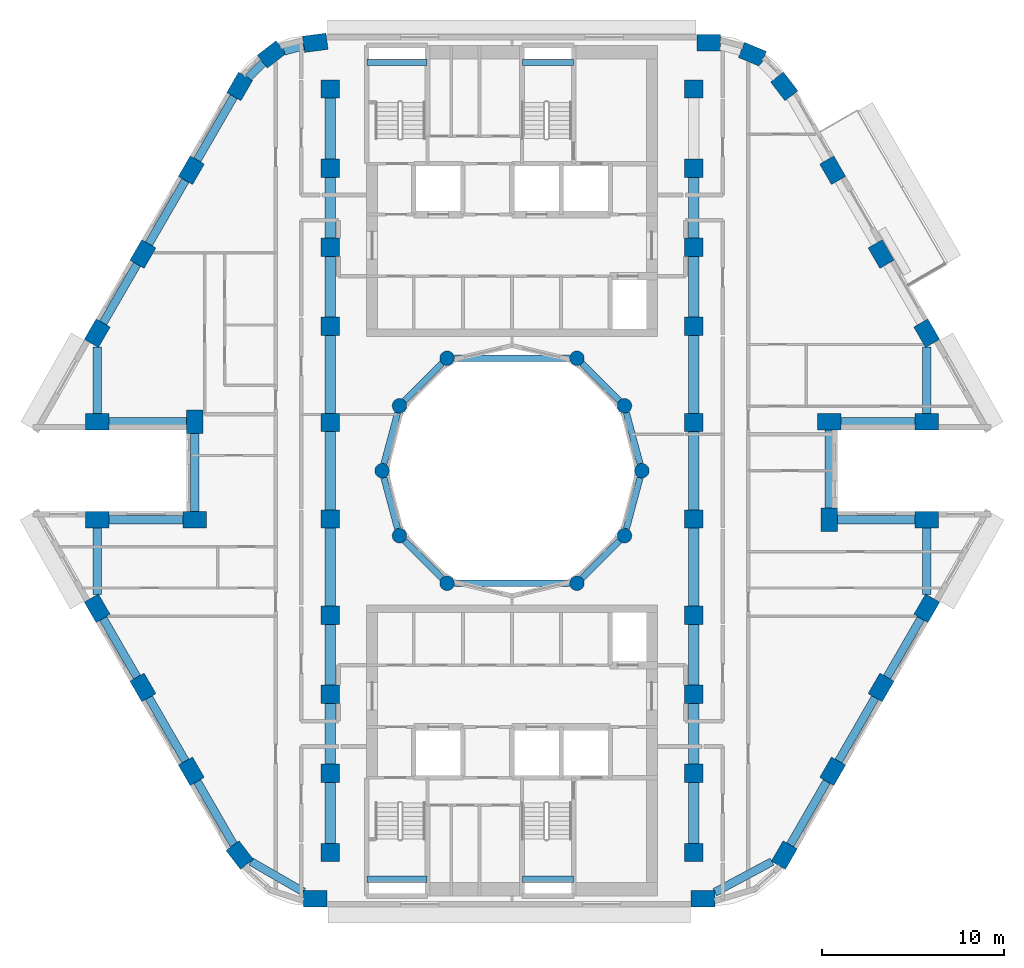
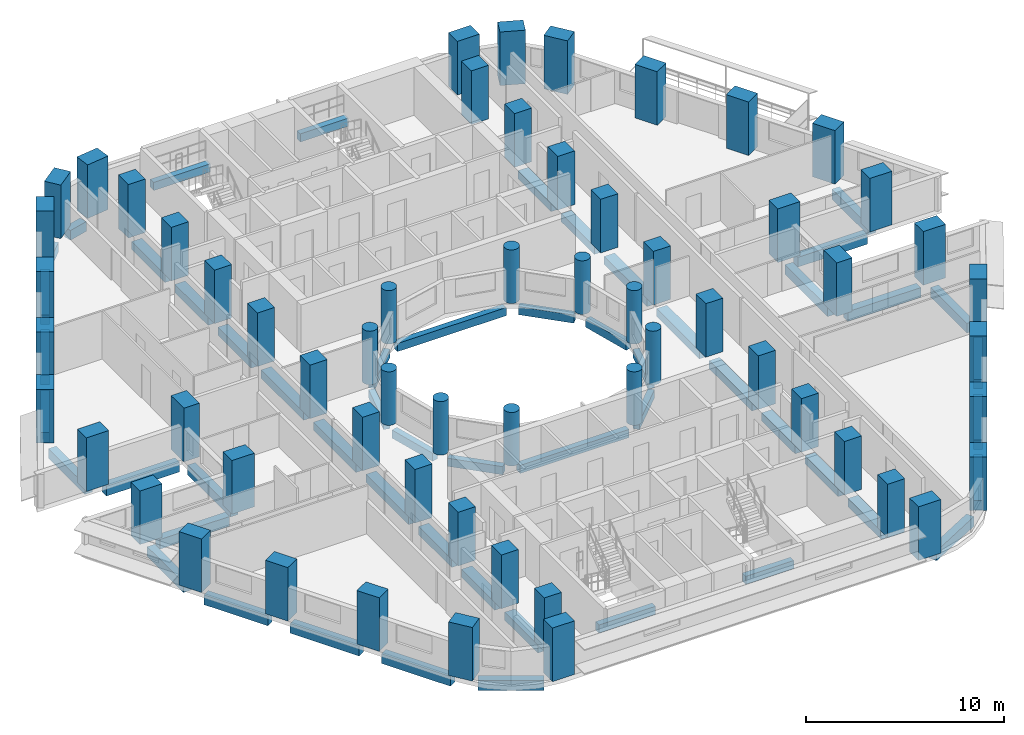
# One storey, part 1 of 14: 60 columns, 54 beams.
"""IFC4 building model written with IfcOpenShell, lengths in metres."""

import ifcopenshell
import ifcopenshell.guid

model = None  # the IFC model being written
_history = None  # IfcOwnerHistory: only IFC2X3 demands one
_inside = {}  # id of a spatial element -> (the spatial element, [elements in it])
_under = {}  # id of a project, library or spatial element -> (it, [spatial elements below it])
_declared = {}  # id of a project -> (the project, [libraries it declares])
_typed = {}  # id of a type object -> (the type object, [elements of that type])
_made_of = {}  # id of a material, layer set ... -> (it, [elements and type objects made of it])


def new_model(schema):
    """Start an empty IFC model of exactly this schema.

    Asked for "IFC4X3", IfcOpenShell would pick the latest addendum, in which some entities
    have other attributes; the version numbers below select the first issue.
    IFC2X3 requires an IfcOwnerHistory on every rooted entity: one is made here for all.
    """
    global model, _history
    if schema == "IFC4X3":
        model = ifcopenshell.file(schema_version=(4, 3, 0, 0))
    else:
        model = ifcopenshell.file(schema=schema)
    _inside.clear()
    _under.clear()
    _declared.clear()
    _typed.clear()
    _made_of.clear()
    _history = None
    if model.schema == "IFC2X3":
        org = make("IfcOrganization", Name="unknown")
        user = make(
            "IfcPersonAndOrganization",
            ThePerson=make("IfcPerson", FamilyName="unknown"),
            TheOrganization=org,
        )
        app = make(
            "IfcApplication",
            ApplicationDeveloper=org,
            Version="unknown",
            ApplicationFullName="unknown",
            ApplicationIdentifier="unknown",
        )
        _history = make(
            "IfcOwnerHistory",
            OwningUser=user,
            OwningApplication=app,
            ChangeAction="ADDED",
            CreationDate=0,
        )
    return model


def make(cls, **values):
    """One entity of the class cls with the attributes given. An attribute that is None is left unset."""
    return model.create_entity(
        cls, **{name: value for name, value in values.items() if value is not None}
    )


def rooted(cls, **values):
    """An entity with a GlobalId (a new one), such as an element, a storey or a relation."""
    return make(cls, GlobalId=ifcopenshell.guid.new(), OwnerHistory=_history, **values)


def si_unit(unit_type, name, prefix=None):
    """IfcSIUnit, for example si_unit("LENGTHUNIT", "METRE", prefix="MILLI")."""
    return make("IfcSIUnit", UnitType=unit_type, Prefix=prefix, Name=name)


def assignment(units):
    """IfcUnitAssignment: the units of a project."""
    return None if units is None else make("IfcUnitAssignment", Units=units)


def point(xyz):
    """IfcCartesianPoint."""
    return None if xyz is None else make("IfcCartesianPoint", Coordinates=xyz)


def direction(xyz):
    """IfcDirection."""
    return None if xyz is None else make("IfcDirection", DirectionRatios=xyz)


def frame(location, z_axis=None, x_axis=None):
    """IfcAxis2Placement3D, a coordinate frame: its origin and axes. An axis left out is left unset."""
    return make(
        "IfcAxis2Placement3D",
        Location=point(location),
        Axis=direction(z_axis),
        RefDirection=direction(x_axis),
    )


def frame_2d(location, x_axis=None):
    """IfcAxis2Placement2D, a coordinate frame in the plane: its origin and x axis."""
    return make(
        "IfcAxis2Placement2D", Location=point(location), RefDirection=direction(x_axis)
    )


def origin():
    """The frame at (0, 0, 0) with its axes left unset."""
    return frame((0.0, 0.0, 0.0))


def origin_2d():
    """The frame at (0, 0) in the plane with its x axis left unset."""
    return frame_2d((0.0, 0.0))


def place(relative_to, where):
    """IfcLocalPlacement: puts the frame where relative to a parent placement (None: the world)."""
    return make(
        "IfcLocalPlacement", PlacementRelTo=relative_to, RelativePlacement=where
    )


def context(
    kind, dimensions, precision=None, world=None, true_north=None, identifier=None
):
    """IfcGeometricRepresentationContext, for example the 3D "Model" context."""
    return make(
        "IfcGeometricRepresentationContext",
        ContextIdentifier=identifier,
        ContextType=kind,
        CoordinateSpaceDimension=dimensions,
        Precision=precision,
        WorldCoordinateSystem=world,
        TrueNorth=true_north,
    )


def subcontext(parent, identifier, kind, view, scale=None):
    """IfcGeometricRepresentationSubContext, for example "Body" below "Model"."""
    return make(
        "IfcGeometricRepresentationSubContext",
        ContextIdentifier=identifier,
        ContextType=kind,
        ParentContext=parent,
        TargetScale=scale,
        TargetView=view,
    )


def project(units=None, contexts=None):
    """IfcProject with its units and contexts."""
    return rooted(
        "IfcProject",
        Name="project",
        RepresentationContexts=contexts,
        UnitsInContext=assignment(units),
    )


def spatial(cls, under=None, at=None, **own):
    """A site, building, storey or space (cls), placed at a placement, below another one or the project."""
    s = rooted(cls, ObjectPlacement=at, **own)
    if under is not None:
        _under.setdefault(under.id(), (under, []))[1].append(s)
    return s


def profile(cls, at=None, kind="AREA", **sizes):
    """A parametric profile (cls). Its sizes go by their IFC names, for example OverallWidth=200.0."""
    return make(cls, ProfileType=kind, Position=at, **sizes)


def rectangle(**sizes):
    """IfcRectangleProfileDef."""
    return profile("IfcRectangleProfileDef", **sizes)


def circle(**sizes):
    """IfcCircleProfileDef."""
    return profile("IfcCircleProfileDef", **sizes)


def extrude(swept, where, along, depth):
    """IfcExtrudedAreaSolid: the profile swept, set in the frame where, extruded along a direction by depth."""
    return make(
        "IfcExtrudedAreaSolid",
        SweptArea=swept,
        Position=where,
        ExtrudedDirection=direction(along),
        Depth=depth,
    )


def shape(context_of_items, identifier, shape_type, items):
    """IfcShapeRepresentation: the items that make up one representation, for example the "Body"."""
    return make(
        "IfcShapeRepresentation",
        ContextOfItems=context_of_items,
        RepresentationIdentifier=identifier,
        RepresentationType=shape_type,
        Items=items,
    )


def material(Name=None, Category=None):
    """IfcMaterial."""
    return make("IfcMaterial", Name=Name, Category=Category)


def material_profile(
    of_material, cross_section, Name=None, Category=None, Priority=None
):
    """IfcMaterialProfile: a cross section and its material."""
    return make(
        "IfcMaterialProfile",
        Name=Name,
        Material=of_material,
        Profile=cross_section,
        Priority=Priority,
        Category=Category,
    )


def profile_set(profiles, Name=None, composite=None):
    """IfcMaterialProfileSet."""
    return make(
        "IfcMaterialProfileSet",
        Name=Name,
        MaterialProfiles=profiles,
        CompositeProfile=composite,
    )


def made_of(thing, what):
    """Note that an element or type object is made of a material, layer set ...; save() writes the relation."""
    if what is not None:
        _made_of.setdefault(what.id(), (what, []))[1].append(thing)
    return thing


def type_object(cls, material=None, **own):
    """A type object (cls), such as IfcWallType, which elements share."""
    return made_of(rooted(cls, **own), material)


def element(
    cls,
    number,
    at=None,
    inside=None,
    cuts=None,
    type_object=None,
    material=None,
    context=None,
    identifier="Body",
    shape_type=None,
    held_by="IfcProductDefinitionShape",
    body=None,
    shapes=None,
    **own,
):
    """One element of the class cls, such as IfcWall. Its Tag is "e" and its number.

    at: its placement. inside: the storey or other place that contains it. cuts: it is an
    opening in that element (IfcRelVoidsElement). A single representation is given by context,
    identifier, shape_type and body (its items); several are given by shapes. held_by: the class
    of the entity that holds the representations. save() writes the other relations.
    """
    e = rooted(cls, Tag="e%d" % number, ObjectPlacement=at, **own)
    if body is not None:
        shapes = [shape(context, identifier, shape_type, body)]
    if shapes is not None:
        e.Representation = make(held_by, Representations=shapes)
    if inside is not None:
        _inside.setdefault(inside.id(), (inside, []))[1].append(e)
    if cuts is not None:
        rooted(
            "IfcRelVoidsElement", RelatingBuildingElement=cuts, RelatedOpeningElement=e
        )
    if type_object is not None:
        _typed.setdefault(type_object.id(), (type_object, []))[1].append(e)
    return made_of(e, material)


def aggregate(whole, parts):
    """IfcRelAggregates: a whole, such as a stair, and the parts it consists of."""
    return rooted("IfcRelAggregates", RelatingObject=whole, RelatedObjects=parts)


def save(model, path):
    """Write the relations noted so far, then the file.

    IfcRelAggregates (storeys below a building ...), IfcRelContainedInSpatialStructure (elements
    in a storey), IfcRelDefinesByType, IfcRelAssociatesMaterial and IfcRelDeclares: one each for
    every whole, place, type object, material and project.
    """
    for whole, parts in _under.values():
        aggregate(whole, parts)
    for where, things in _inside.values():
        rooted(
            "IfcRelContainedInSpatialStructure",
            RelatedElements=things,
            RelatingStructure=where,
        )
    for kind, things in _typed.values():
        rooted("IfcRelDefinesByType", RelatedObjects=things, RelatingType=kind)
    for what, things in _made_of.values():
        rooted("IfcRelAssociatesMaterial", RelatedObjects=things, RelatingMaterial=what)
    for by, libraries in _declared.values():
        rooted("IfcRelDeclares", RelatingContext=by, RelatedDefinitions=libraries)
    model.write(path)


model = new_model("IFC4")

# Units and contexts
model_context = context("Model", 3, precision=1e-05, world=origin(), true_north=direction((0.0, 1.0)))
body_context = subcontext(model_context, "Body", "Model", "MODEL_VIEW")
ifc_project = project(units=[si_unit("LENGTHUNIT", "METRE"), si_unit("AREAUNIT", "SQUARE_METRE"), si_unit("VOLUMEUNIT", "CUBIC_METRE"), si_unit("PLANEANGLEUNIT", "RADIAN"), si_unit("MASSUNIT", "GRAM", prefix="KILO")], contexts=[model_context])

# Site, building, storey
site_placement = place(None, origin())
site = spatial("IfcSite", under=ifc_project, at=site_placement, CompositionType="ELEMENT")
building_placement = place(site_placement, origin())
building = spatial("IfcBuilding", under=site, at=building_placement, Name="Nakaniwa Court", CompositionType="ELEMENT")
storey_placement = place(building_placement, frame((0.0, 0.0, 166.800048828125)))
storey = spatial("IfcBuildingStorey", under=building, at=storey_placement, Name="L44", CompositionType="ELEMENT", Elevation=166.800048828125)

# Columns
ifc_material = material(Name="Concrete C80/100", Category="concrete")
ifc_material_profile_1 = material_profile(ifc_material, rectangle(XDim=1.0, YDim=1.0, at=origin_2d()), Name="Concrete C80/100 RC 1000x1000 spine column")
ifc_profile_set_1 = profile_set([ifc_material_profile_1], Name="Concrete C80/100")
column_type_1 = type_object("IfcColumnType", Name="Concrete C80/100 RC 1000x1000 spine column", PredefinedType="COLUMN", material=ifc_profile_set_1)
for number, where, z_axis, x_axis, name in (
    (1, (90.0, 59.0, 0.0), (0.0, 0.0, 1.0), (0.0, 1.0, 0.0), "COLUMN CS-01"),
    (2, (90.0, 63.35009765625, 0.0), (0.0, 0.0, 1.0), (0.0, 1.0, 0.0), "COLUMN CS-02"),
    (3, (90.0, 67.699951171875, 0.0), (0.0, 0.0, 1.0), (0.0, 1.0, 0.0), "COLUMN CS-03"),
    (4, (90.0, 72.050048828125, 0.0), (0.0, 0.0, 1.0), (0.0, 1.0, 0.0), "COLUMN CS-04"),
    (5, (90.0, 77.35009765625, 0.0), (0.0, 0.0, 1.0), (0.0, 1.0, 0.0), "COLUMN CS-05"),
    (6, (90.0, 82.64990234375, 0.0), (0.0, 0.0, 1.0), (0.0, 1.0, 0.0), "COLUMN CS-06"),
    (7, (90.0, 87.949951171875, 0.0), (0.0, 0.0, 1.0), (0.0, 1.0, 0.0), "COLUMN CS-07"),
    (8, (90.0, 92.300048828125, 0.0), (0.0, 0.0, 1.0), (0.0, 1.0, 0.0), "COLUMN CS-08"),
    (9, (90.0, 96.64990234375, 0.0), (0.0, 0.0, 1.0), (0.0, 1.0, 0.0), "COLUMN CS-09"),
    (10, (90.0, 101.0, 0.0), (0.0, 0.0, 1.0), (0.0, 1.0, 0.0), "COLUMN CS-10"),
    (11, (70.0, 101.0, 0.0), (0.0, 0.0, 1.0), (0.0, -1.0, 0.0), "COLUMN CS-11"),
    (12, (70.0, 96.64990234375, 0.0), (0.0, 0.0, 1.0), (0.0, -1.0, 0.0), "COLUMN CS-12"),
    (13, (70.0, 92.300048828125, 0.0), (0.0, 0.0, 1.0), (0.0, -1.0, 0.0), "COLUMN CS-13"),
    (14, (70.0, 87.949951171875, 0.0), (0.0, 0.0, 1.0), (0.0, -1.0, 0.0), "COLUMN CS-14"),
    (15, (70.0, 82.64990234375, 0.0), (0.0, 0.0, 1.0), (0.0, -1.0, 0.0), "COLUMN CS-15"),
    (16, (70.0, 77.35009765625, 0.0), (0.0, 0.0, 1.0), (0.0, -1.0, 0.0), "COLUMN CS-16"),
    (17, (70.0, 72.050048828125, 0.0), (0.0, 0.0, 1.0), (0.0, -1.0, 0.0), "COLUMN CS-17"),
    (18, (70.0, 67.699951171875, 0.0), (0.0, 0.0, 1.0), (0.0, -1.0, 0.0), "COLUMN CS-18"),
    (19, (70.0, 63.35009765625, 0.0), (0.0, 0.0, 1.0), (0.0, -1.0, 0.0), "COLUMN CS-19"),
    (20, (70.0, 59.0, 0.0), (0.0, 0.0, 1.0), (0.0, -1.0, 0.0), "COLUMN CS-20"),
):
    element("IfcColumn", number, at=place(storey_placement, frame(where, z_axis=z_axis, x_axis=x_axis)), inside=storey, type_object=column_type_1, Name=name, PredefinedType="COLUMN", context=body_context, shape_type="SweptSolid", body=[
        extrude(rectangle(XDim=1.0, YDim=1.0, at=origin_2d()), origin(), (0.0, 0.0, 1.0), 3.300048828125),
    ])
ifc_material_profile_2 = material_profile(ifc_material, rectangle(XDim=1.300048828125, YDim=0.89990234375, at=origin_2d()), Name="Concrete C80/100 RC 1300x900 perimeter column")
ifc_profile_set_2 = profile_set([ifc_material_profile_2], Name="Concrete C80/100")
column_type_2 = type_object("IfcColumnType", Name="Concrete C80/100 RC 1300x900 perimeter column", PredefinedType="COLUMN", material=ifc_profile_set_2)
for number, where, z_axis, x_axis, name in (
    (21, (69.17529296875, 103.550048828125, 0.0), (0.0, 0.0, 1.0), (-0.991442583111, -0.130543496177, 0.0), "COLUMN CO-01"),
    (22, (66.772705078125, 102.91015625, 0.0), (0.0, 0.0, 1.0), (-0.793363965062, -0.608747582288, 0.0), "COLUMN CO-02"),
    (23, (65.017578125, 101.1494140625, 0.0), (0.0, 0.0, 1.0), (-0.5, -0.866025403784, 0.0), "COLUMN CO-03"),
    (24, (62.3544921875, 96.537109375, 0.0), (0.0, 0.0, 1.0), (-0.5, -0.866025403784, 0.0), "COLUMN CO-04"),
    (25, (59.691650390625, 91.9248046875, 0.0), (0.0, 0.0, 1.0), (-0.5, -0.866025403784, 0.0), "COLUMN CO-05"),
    (26, (57.177001953125, 87.569580078125, 0.0), (0.0, 0.0, 1.0), (-0.5, -0.866025403784, 0.0), "COLUMN CO-06"),
    (27, (57.177001953125, 82.699951171875, 0.0), (0.0, 0.0, 1.0), (1.0, 0.0, 0.0), "COLUMN CO-08"),
    (28, (62.54150390625, 82.699951171875, 0.0), (0.0, 0.0, 1.0), (0.0, -1.0, 0.0), "COLUMN CO-09"),
    (29, (62.54150390625, 77.300048828125, 0.0), (0.0, 0.0, 1.0), (-1.0, 0.0, 0.0), "COLUMN CO-10"),
    (30, (57.177001953125, 77.300048828125, 0.0), (0.0, 0.0, 1.0), (-1.0, 0.0, 0.0), "COLUMN CO-11"),
    (31, (57.177001953125, 72.430419921875, 0.0), (0.0, 0.0, 1.0), (0.5, -0.866025403784, 0.0), "COLUMN CO-13"),
    (32, (59.691650390625, 68.0751953125, 0.0), (0.0, 0.0, 1.0), (0.5, -0.866025403784, 0.0), "COLUMN CO-14"),
    (33, (62.3544921875, 63.462890625, 0.0), (0.0, 0.0, 1.0), (0.5, -0.866025403784, 0.0), "COLUMN CO-15"),
    (34, (65.017578125, 58.8505859375, 0.0), (0.0, 0.0, 1.0), (0.608761429009, -0.793353340291, 0.0), "COLUMN CO-16"),
    (35, (69.17529296875, 56.449951171875, 0.0), (0.0, 0.0, 1.0), (1.0, 0.0, 0.0), "COLUMN CO-17"),
    (36, (90.507080078125, 56.449951171875, 0.0), (0.0, 0.0, 1.0), (1.0, 0.0, 0.0), "COLUMN CO-21"),
    (37, (94.982421875, 58.8505859375, 0.0), (0.0, 0.0, 1.0), (0.5, 0.866025403784, 0.0), "COLUMN CO-22"),
    (38, (97.6455078125, 63.462890625, 0.0), (0.0, 0.0, 1.0), (0.5, 0.866025403784, 0.0), "COLUMN CO-23"),
    (39, (100.308349609375, 68.0751953125, 0.0), (0.0, 0.0, 1.0), (0.5, 0.866025403784, 0.0), "COLUMN CO-24"),
    (40, (102.822998046875, 72.430419921875, 0.0), (0.0, 0.0, 1.0), (0.5, 0.866025403784, 0.0), "COLUMN CO-25"),
    (41, (102.822998046875, 77.300048828125, 0.0), (0.0, 0.0, 1.0), (-1.0, 0.0, 0.0), "COLUMN CO-27"),
    (42, (97.45849609375, 77.300048828125, 0.0), (0.0, 0.0, 1.0), (0.0, 1.0, 0.0), "COLUMN CO-28"),
    (43, (97.45849609375, 82.699951171875, 0.0), (0.0, 0.0, 1.0), (1.0, 0.0, 0.0), "COLUMN CO-29"),
    (44, (102.822998046875, 82.699951171875, 0.0), (0.0, 0.0, 1.0), (1.0, 0.0, 0.0), "COLUMN CO-30"),
    (45, (102.822998046875, 87.569580078125, 0.0), (0.0, 0.0, 1.0), (-0.5, 0.866025403784, 0.0), "COLUMN CO-32"),
    (46, (100.308349609375, 91.9248046875, 0.0), (0.0, 0.0, 1.0), (-0.5, 0.866025403784, 0.0), "COLUMN CO-33"),
    (47, (97.6455078125, 96.537109375, 0.0), (0.0, 0.0, 1.0), (-0.5, 0.866025403784, 0.0), "COLUMN CO-34"),
    (48, (94.982421875, 101.1494140625, 0.0), (0.0, 0.0, 1.0), (-0.608761429009, 0.793353340291, 0.0), "COLUMN CO-35"),
    (49, (93.227294921875, 102.91015625, 0.0), (0.0, 0.0, 1.0), (-0.923879532511, 0.382683432365, 0.0), "COLUMN CO-36"),
    (50, (90.82470703125, 103.550048828125, 0.0), (0.0, 0.0, 1.0), (-1.0, 0.0, 0.0), "COLUMN CO-37"),
):
    element("IfcColumn", number, at=place(storey_placement, frame(where, z_axis=z_axis, x_axis=x_axis)), inside=storey, type_object=column_type_2, Name=name, PredefinedType="COLUMN", context=body_context, shape_type="SweptSolid", body=[
        extrude(rectangle(XDim=1.300048828125, YDim=0.89990234375, at=origin_2d()), origin(), (0.0, 0.0, 1.0), 3.300048828125),
    ])
ifc_material_profile_3 = material_profile(ifc_material, circle(Radius=0.39990234375, at=origin_2d()), Name="Concrete C80/100 RC D800 inner ring column")
ifc_profile_set_3 = profile_set([ifc_material_profile_3], Name="Concrete C80/100")
column_type_3 = type_object("IfcColumnType", Name="Concrete C80/100 RC D800 inner ring column", PredefinedType="COLUMN", material=ifc_profile_set_3)
for number, where, z_axis, x_axis, name in (
    (51, (87.14990234375, 80.0, 0.0), (0.0, 0.0, 1.0), (0.0, 1.0, 0.0), "COLUMN CI-01"),
    (52, (86.192138671875, 83.574951171875, 0.0), (0.0, 0.0, 1.0), (-0.5, 0.866025403784, 0.0), "COLUMN CI-02"),
    (53, (83.574951171875, 86.192138671875, 0.0), (0.0, 0.0, 1.0), (-0.866025403784, 0.5, 0.0), "COLUMN CI-03"),
    (54, (76.425048828125, 86.192138671875, 0.0), (0.0, 0.0, 1.0), (-0.866025403784, -0.5, 0.0), "COLUMN CI-05"),
    (55, (73.807861328125, 83.574951171875, 0.0), (0.0, 0.0, 1.0), (-0.5, -0.866025403784, 0.0), "COLUMN CI-06"),
    (56, (72.85009765625, 80.0, 0.0), (0.0, 0.0, 1.0), (0.0, -1.0, 0.0), "COLUMN CI-07"),
    (57, (73.807861328125, 76.425048828125, 0.0), (0.0, 0.0, 1.0), (0.5, -0.866025403784, 0.0), "COLUMN CI-08"),
    (58, (76.425048828125, 73.807861328125, 0.0), (0.0, 0.0, 1.0), (0.866025403784, -0.5, 0.0), "COLUMN CI-09"),
    (59, (83.574951171875, 73.807861328125, 0.0), (0.0, 0.0, 1.0), (0.866025403784, 0.5, 0.0), "COLUMN CI-11"),
    (60, (86.192138671875, 76.425048828125, 0.0), (0.0, 0.0, 1.0), (0.5, 0.866025403784, 0.0), "COLUMN CI-12"),
):
    element("IfcColumn", number, at=place(storey_placement, frame(where, z_axis=z_axis, x_axis=x_axis)), inside=storey, type_object=column_type_3, Name=name, PredefinedType="COLUMN", context=body_context, shape_type="SweptSolid", body=[
        extrude(circle(Radius=0.39990234375, at=origin_2d()), origin(), (0.0, 0.0, 1.0), 3.300048828125),
    ])

# Beams
ifc_material_profile_4 = material_profile(ifc_material, rectangle(XDim=0.35009765625, YDim=0.5, at=origin_2d()), Name="Concrete C80/100 RC 350x500 landing ledge beam")
ifc_profile_set_4 = profile_set([ifc_material_profile_4], Name="Concrete C80/100")
beam_type_1 = type_object("IfcBeamType", Name="Concrete C80/100 RC 350x500 landing ledge beam", PredefinedType="BEAM", material=ifc_profile_set_4)
beam_1_placement = place(storey_placement, frame((72.02490234375, 102.47509765625, 1.199951171875), z_axis=(1.0, 0.0, 0.0), x_axis=(0.0, 1.0, 0.0)))
element("IfcBeam", 61, at=beam_1_placement, inside=storey, type_object=beam_type_1, Name="LANDING LEDGE BEAM", PredefinedType="BEAM", context=body_context, shape_type="SweptSolid", body=[
    extrude(rectangle(XDim=0.35009765625, YDim=0.5, at=origin_2d()), origin(), (0.0, 0.0, 1.0), 3.300048828125),
])
beam_2_placement = place(storey_placement, frame((80.574951171875, 102.47509765625, 1.199951171875), z_axis=(1.0, 0.0, 0.0), x_axis=(0.0, 1.0, 0.0)))
element("IfcBeam", 62, at=beam_2_placement, inside=storey, type_object=beam_type_1, Name="LANDING LEDGE BEAM", PredefinedType="BEAM", context=body_context, shape_type="SweptSolid", body=[
    extrude(rectangle(XDim=0.35009765625, YDim=0.5, at=origin_2d()), origin(), (0.0, 0.0, 1.0), 2.800048828125),
])
beam_3_placement = place(storey_placement, frame((72.02490234375, 57.52490234375, 1.199951171875), z_axis=(1.0, 0.0, 0.0), x_axis=(0.0, 1.0, 0.0)))
element("IfcBeam", 63, at=beam_3_placement, inside=storey, type_object=beam_type_1, Name="LANDING LEDGE BEAM", PredefinedType="BEAM", context=body_context, shape_type="SweptSolid", body=[
    extrude(rectangle(XDim=0.35009765625, YDim=0.5, at=origin_2d()), origin(), (0.0, 0.0, 1.0), 3.300048828125),
])
beam_4_placement = place(storey_placement, frame((80.574951171875, 57.52490234375, 1.199951171875), z_axis=(1.0, 0.0, 0.0), x_axis=(0.0, 1.0, 0.0)))
element("IfcBeam", 64, at=beam_4_placement, inside=storey, type_object=beam_type_1, Name="LANDING LEDGE BEAM", PredefinedType="BEAM", context=body_context, shape_type="SweptSolid", body=[
    extrude(rectangle(XDim=0.35009765625, YDim=0.5, at=origin_2d()), origin(), (0.0, 0.0, 1.0), 2.800048828125),
])
ifc_material_profile_5 = material_profile(ifc_material, rectangle(XDim=0.35009765625, YDim=0.5, at=origin_2d()), Name="Concrete C80/100 RC 350x500 ring beam")
ifc_profile_set_5 = profile_set([ifc_material_profile_5], Name="Concrete C80/100")
beam_type_2 = type_object("IfcBeamType", Name="Concrete C80/100 RC 350x500 ring beam", PredefinedType="BEAM", material=ifc_profile_set_5)
beam_5_placement = place(storey_placement, frame((87.04638671875, 80.386474609375, -0.525146484375), z_axis=(-0.258778150207, 0.965936783115, 0.0), x_axis=(-0.965936783115, -0.258778150207, 0.0)))
element("IfcBeam", 65, at=beam_5_placement, inside=storey, type_object=beam_type_2, Name="RING BEAM", PredefinedType="BEAM", context=body_context, shape_type="SweptSolid", body=[
    extrude(rectangle(XDim=0.35009765625, YDim=0.5, at=origin_2d()), origin(), (0.0, 0.0, 1.0), 2.901123046875),
])
beam_6_placement = place(storey_placement, frame((85.9091796875, 83.85791015625, -0.525146484375), z_axis=(-0.707106781187, 0.707106781187, 0.0), x_axis=(-0.707106781187, -0.707106781187, 0.0)))
element("IfcBeam", 66, at=beam_6_placement, inside=storey, type_object=beam_type_2, Name="RING BEAM", PredefinedType="BEAM", context=body_context, shape_type="SweptSolid", body=[
    extrude(rectangle(XDim=0.35009765625, YDim=0.5, at=origin_2d()), origin(), (0.0, 0.0, 1.0), 2.90087890625),
])
beam_7_placement = place(storey_placement, frame((83.175048828125, 86.192138671875, -0.525146484375), z_axis=(-1.0, 0.0, 0.0), x_axis=(0.0, -1.0, 0.0)))
element("IfcBeam", 67, at=beam_7_placement, inside=storey, type_object=beam_type_2, Name="RING BEAM", PredefinedType="BEAM", context=body_context, shape_type="SweptSolid", body=[
    extrude(rectangle(XDim=0.35009765625, YDim=0.5, at=origin_2d()), origin(), (0.0, 0.0, 1.0), 6.35009765625),
])
beam_8_placement = place(storey_placement, frame((76.14208984375, 85.9091796875, -0.525146484375), z_axis=(-0.707106781187, -0.707106781187, 0.0), x_axis=(0.707106781187, -0.707106781187, 0.0)))
element("IfcBeam", 68, at=beam_8_placement, inside=storey, type_object=beam_type_2, Name="RING BEAM", PredefinedType="BEAM", context=body_context, shape_type="SweptSolid", body=[
    extrude(rectangle(XDim=0.35009765625, YDim=0.5, at=origin_2d()), origin(), (0.0, 0.0, 1.0), 2.90087890625),
])
for number, where, z_axis, x_axis, name in (
    (69, (73.704345703125, 83.188720703125, -0.525146484375), (-0.258778150207, -0.965936783115, 0.0), (0.965936783115, -0.258778150207, 0.0), "RING BEAM"),
    (70, (72.95361328125, 79.613525390625, -0.525146484375), (0.258778150207, -0.965936783115, 0.0), (0.965936783115, 0.258778150207, 0.0), "RING BEAM"),
):
    element("IfcBeam", number, at=place(storey_placement, frame(where, z_axis=z_axis, x_axis=x_axis)), inside=storey, type_object=beam_type_2, Name=name, PredefinedType="BEAM", context=body_context, shape_type="SweptSolid", body=[
        extrude(rectangle(XDim=0.35009765625, YDim=0.5, at=origin_2d()), origin(), (0.0, 0.0, 1.0), 2.901123046875),
    ])
beam_9_placement = place(storey_placement, frame((74.0908203125, 76.14208984375, -0.525146484375), z_axis=(0.707106781187, -0.707106781187, 0.0), x_axis=(0.707106781187, 0.707106781187, 0.0)))
element("IfcBeam", 71, at=beam_9_placement, inside=storey, type_object=beam_type_2, Name="RING BEAM", PredefinedType="BEAM", context=body_context, shape_type="SweptSolid", body=[
    extrude(rectangle(XDim=0.35009765625, YDim=0.5, at=origin_2d()), origin(), (0.0, 0.0, 1.0), 2.90087890625),
])
beam_10_placement = place(storey_placement, frame((76.824951171875, 73.807861328125, -0.525146484375), z_axis=(1.0, 0.0, 0.0), x_axis=(0.0, 1.0, 0.0)))
element("IfcBeam", 72, at=beam_10_placement, inside=storey, type_object=beam_type_2, Name="RING BEAM", PredefinedType="BEAM", context=body_context, shape_type="SweptSolid", body=[
    extrude(rectangle(XDim=0.35009765625, YDim=0.5, at=origin_2d()), origin(), (0.0, 0.0, 1.0), 6.35009765625),
])
beam_11_placement = place(storey_placement, frame((83.85791015625, 74.0908203125, -0.525146484375), z_axis=(0.707106781187, 0.707106781187, 0.0), x_axis=(-0.707106781187, 0.707106781187, 0.0)))
element("IfcBeam", 73, at=beam_11_placement, inside=storey, type_object=beam_type_2, Name="RING BEAM", PredefinedType="BEAM", context=body_context, shape_type="SweptSolid", body=[
    extrude(rectangle(XDim=0.35009765625, YDim=0.5, at=origin_2d()), origin(), (0.0, 0.0, 1.0), 2.90087890625),
])
beam_12_placement = place(storey_placement, frame((86.295654296875, 76.811279296875, -0.525146484375), z_axis=(0.258778150207, 0.965936783115, 0.0), x_axis=(-0.965936783115, 0.258778150207, 0.0)))
element("IfcBeam", 74, at=beam_12_placement, inside=storey, type_object=beam_type_2, Name="RING BEAM", PredefinedType="BEAM", context=body_context, shape_type="SweptSolid", body=[
    extrude(rectangle(XDim=0.35009765625, YDim=0.5, at=origin_2d()), origin(), (0.0, 0.0, 1.0), 2.901123046875),
])
ifc_material_profile_6 = material_profile(ifc_material, rectangle(XDim=0.449951171875, YDim=0.60009765625, at=origin_2d()), Name="Concrete C80/100 RC 450x600 spandrel beam")
ifc_profile_set_6 = profile_set([ifc_material_profile_6], Name="Concrete C80/100")
beam_type_3 = type_object("IfcBeamType", Name="Concrete C80/100 RC 450x600 spandrel beam", PredefinedType="BEAM", material=ifc_profile_set_6)
beam_13_placement = place(storey_placement, frame((68.5419921875, 103.38134765625, -0.574951171875), z_axis=(-0.966321172043, -0.257339061284, 0.0), x_axis=(0.257339061284, -0.966321172043, 0.0)))
element("IfcBeam", 75, at=beam_13_placement, inside=storey, type_object=beam_type_3, Name="SPANDREL BEAM", PredefinedType="BEAM", context=body_context, shape_type="SweptSolid", body=[
    extrude(rectangle(XDim=0.449951171875, YDim=0.60009765625, at=origin_2d()), origin(), (0.0, 0.0, 1.0), 1.126953125),
])
beam_14_placement = place(storey_placement, frame((66.309814453125, 102.44580078125, -0.574951171875), z_axis=(-0.706051557188, -0.708160432807, 0.0), x_axis=(0.708160432807, -0.706051557188, 0.0)))
element("IfcBeam", 76, at=beam_14_placement, inside=storey, type_object=beam_type_3, Name="SPANDREL BEAM", PredefinedType="BEAM", context=body_context, shape_type="SweptSolid", body=[
    extrude(rectangle(XDim=0.449951171875, YDim=0.60009765625, at=origin_2d()), origin(), (0.0, 0.0, 1.0), 1.15771484375),
])
for number, where, z_axis, x_axis, name in (
    (77, (64.6923828125, 100.586669921875, -0.574951171875), (-0.499993669216, -0.866029058833, 0.0), (0.866029058833, -0.499993669216, 0.0), "SPANDREL BEAM"),
    (78, (62.029541015625, 95.97412109375, -0.574951171875), (-0.499993669216, -0.866029058833, 0.0), (0.866029058833, -0.499993669216, 0.0), "SPANDREL BEAM"),
):
    element("IfcBeam", number, at=place(storey_placement, frame(where, z_axis=z_axis, x_axis=x_axis)), inside=storey, type_object=beam_type_3, Name=name, PredefinedType="BEAM", context=body_context, shape_type="SweptSolid", body=[
        extrude(rectangle(XDim=0.449951171875, YDim=0.60009765625, at=origin_2d()), origin(), (0.0, 0.0, 1.0), 4.02587890625),
    ])
beam_15_placement = place(storey_placement, frame((59.36669921875, 91.36181640625, -0.574951171875), z_axis=(-0.50001905207, -0.866014403787, 0.0), x_axis=(0.866014403787, -0.50001905207, 0.0)))
element("IfcBeam", 79, at=beam_15_placement, inside=storey, type_object=beam_type_3, Name="SPANDREL BEAM", PredefinedType="BEAM", context=body_context, shape_type="SweptSolid", body=[
    extrude(rectangle(XDim=0.449951171875, YDim=0.60009765625, at=origin_2d()), origin(), (0.0, 0.0, 1.0), 3.728759765625),
])
beam_16_placement = place(storey_placement, frame((57.177001953125, 86.819091796875, -0.574951171875), z_axis=(0.0, -1.0, 0.0), x_axis=(1.0, 0.0, 0.0)))
element("IfcBeam", 80, at=beam_16_placement, inside=storey, type_object=beam_type_3, Name="SPANDREL BEAM", PredefinedType="BEAM", context=body_context, shape_type="SweptSolid", body=[
    extrude(rectangle(XDim=0.449951171875, YDim=0.60009765625, at=origin_2d()), origin(), (0.0, 0.0, 1.0), 3.669189453125),
])
beam_17_placement = place(storey_placement, frame((57.8271484375, 82.699951171875, -0.574951171875), z_axis=(1.0, 0.0, 0.0), x_axis=(0.0, 1.0, 0.0)))
element("IfcBeam", 81, at=beam_17_placement, inside=storey, type_object=beam_type_3, Name="SPANDREL BEAM", PredefinedType="BEAM", context=body_context, shape_type="SweptSolid", body=[
    extrude(rectangle(XDim=0.449951171875, YDim=0.60009765625, at=origin_2d()), origin(), (0.0, 0.0, 1.0), 4.264404296875),
])
beam_18_placement = place(storey_placement, frame((62.54150390625, 82.050048828125, -0.574951171875), z_axis=(0.0, -1.0, 0.0), x_axis=(1.0, 0.0, 0.0)))
element("IfcBeam", 82, at=beam_18_placement, inside=storey, type_object=beam_type_3, Name="SPANDREL BEAM", PredefinedType="BEAM", context=body_context, shape_type="SweptSolid", body=[
    extrude(rectangle(XDim=0.449951171875, YDim=0.60009765625, at=origin_2d()), origin(), (0.0, 0.0, 1.0), 4.300048828125),
])
beam_19_placement = place(storey_placement, frame((61.8916015625, 77.300048828125, -0.574951171875), z_axis=(-1.0, 0.0, 0.0), x_axis=(0.0, -1.0, 0.0)))
element("IfcBeam", 83, at=beam_19_placement, inside=storey, type_object=beam_type_3, Name="SPANDREL BEAM", PredefinedType="BEAM", context=body_context, shape_type="SweptSolid", body=[
    extrude(rectangle(XDim=0.449951171875, YDim=0.60009765625, at=origin_2d()), origin(), (0.0, 0.0, 1.0), 4.064453125),
])
beam_20_placement = place(storey_placement, frame((57.177001953125, 76.85009765625, -0.574951171875), z_axis=(0.0, -1.0, 0.0), x_axis=(1.0, 0.0, 0.0)))
element("IfcBeam", 84, at=beam_20_placement, inside=storey, type_object=beam_type_3, Name="SPANDREL BEAM", PredefinedType="BEAM", context=body_context, shape_type="SweptSolid", body=[
    extrude(rectangle(XDim=0.449951171875, YDim=0.60009765625, at=origin_2d()), origin(), (0.0, 0.0, 1.0), 3.669189453125),
])
beam_21_placement = place(storey_placement, frame((57.502197265625, 71.867431640625, -0.574951171875), z_axis=(0.50001905207, -0.866014403787, 0.0), x_axis=(0.866014403787, 0.50001905207, 0.0)))
element("IfcBeam", 85, at=beam_21_placement, inside=storey, type_object=beam_type_3, Name="SPANDREL BEAM", PredefinedType="BEAM", context=body_context, shape_type="SweptSolid", body=[
    extrude(rectangle(XDim=0.449951171875, YDim=0.60009765625, at=origin_2d()), origin(), (0.0, 0.0, 1.0), 3.728759765625),
])
beam_22_placement = place(storey_placement, frame((60.0166015625, 67.512451171875, -0.574951171875), z_axis=(0.499993669216, -0.866029058833, 0.0), x_axis=(0.866029058833, 0.499993669216, 0.0)))
element("IfcBeam", 86, at=beam_22_placement, inside=storey, type_object=beam_type_3, Name="SPANDREL BEAM", PredefinedType="BEAM", context=body_context, shape_type="SweptSolid", body=[
    extrude(rectangle(XDim=0.449951171875, YDim=0.60009765625, at=origin_2d()), origin(), (0.0, 0.0, 1.0), 4.02587890625),
])
beam_23_placement = place(storey_placement, frame((62.679443359375, 62.89990234375, -0.574951171875), z_axis=(0.500018573463, -0.866014680125, 0.0), x_axis=(0.866014680125, 0.500018573463, 0.0)))
element("IfcBeam", 87, at=beam_23_placement, inside=storey, type_object=beam_type_3, Name="SPANDREL BEAM", PredefinedType="BEAM", context=body_context, shape_type="SweptSolid", body=[
    extrude(rectangle(XDim=0.449951171875, YDim=0.60009765625, at=origin_2d()), origin(), (0.0, 0.0, 1.0), 4.020263671875),
])
beam_24_placement = place(storey_placement, frame((65.626708984375, 58.498779296875, -0.574951171875), z_axis=(0.866021605644, -0.500006578514, 0.0), x_axis=(0.500006578514, 0.866021605644, 0.0)))
element("IfcBeam", 88, at=beam_24_placement, inside=storey, type_object=beam_type_3, Name="SPANDREL BEAM", PredefinedType="BEAM", context=body_context, shape_type="SweptSolid", body=[
    extrude(rectangle(XDim=0.449951171875, YDim=0.60009765625, at=origin_2d()), origin(), (0.0, 0.0, 1.0), 3.34716796875),
])
beam_25_placement = place(storey_placement, frame((91.156982421875, 56.798583984375, -0.574951171875), z_axis=(0.881239336512, 0.472670320397, 0.0), x_axis=(-0.472670320397, 0.881239336512, 0.0)))
element("IfcBeam", 89, at=beam_25_placement, inside=storey, type_object=beam_type_3, Name="SPANDREL BEAM", PredefinedType="BEAM", context=body_context, shape_type="SweptSolid", body=[
    extrude(rectangle(XDim=0.449951171875, YDim=0.60009765625, at=origin_2d()), origin(), (0.0, 0.0, 1.0), 3.576416015625),
])
for number, where, z_axis, x_axis, name in (
    (90, (95.3076171875, 59.413330078125, -0.574951171875), (0.499993669216, 0.866029058833, 0.0), (-0.866029058833, 0.499993669216, 0.0), "SPANDREL BEAM"),
    (91, (97.970458984375, 64.02587890625, -0.574951171875), (0.499993669216, 0.866029058833, 0.0), (-0.866029058833, 0.499993669216, 0.0), "SPANDREL BEAM"),
):
    element("IfcBeam", number, at=place(storey_placement, frame(where, z_axis=z_axis, x_axis=x_axis)), inside=storey, type_object=beam_type_3, Name=name, PredefinedType="BEAM", context=body_context, shape_type="SweptSolid", body=[
        extrude(rectangle(XDim=0.449951171875, YDim=0.60009765625, at=origin_2d()), origin(), (0.0, 0.0, 1.0), 4.02587890625),
    ])
beam_26_placement = place(storey_placement, frame((100.63330078125, 68.63818359375, -0.574951171875), z_axis=(0.50001905207, 0.866014403787, 0.0), x_axis=(-0.866014403787, 0.50001905207, 0.0)))
element("IfcBeam", 92, at=beam_26_placement, inside=storey, type_object=beam_type_3, Name="SPANDREL BEAM", PredefinedType="BEAM", context=body_context, shape_type="SweptSolid", body=[
    extrude(rectangle(XDim=0.449951171875, YDim=0.60009765625, at=origin_2d()), origin(), (0.0, 0.0, 1.0), 3.728759765625),
])
beam_27_placement = place(storey_placement, frame((102.822998046875, 73.180908203125, -0.574951171875), z_axis=(0.0, 1.0, 0.0), x_axis=(-1.0, 0.0, 0.0)))
element("IfcBeam", 93, at=beam_27_placement, inside=storey, type_object=beam_type_3, Name="SPANDREL BEAM", PredefinedType="BEAM", context=body_context, shape_type="SweptSolid", body=[
    extrude(rectangle(XDim=0.449951171875, YDim=0.60009765625, at=origin_2d()), origin(), (0.0, 0.0, 1.0), 3.669189453125),
])
beam_28_placement = place(storey_placement, frame((102.1728515625, 77.300048828125, -0.574951171875), z_axis=(-1.0, 0.0, 0.0), x_axis=(0.0, -1.0, 0.0)))
element("IfcBeam", 94, at=beam_28_placement, inside=storey, type_object=beam_type_3, Name="SPANDREL BEAM", PredefinedType="BEAM", context=body_context, shape_type="SweptSolid", body=[
    extrude(rectangle(XDim=0.449951171875, YDim=0.60009765625, at=origin_2d()), origin(), (0.0, 0.0, 1.0), 4.264404296875),
])
beam_29_placement = place(storey_placement, frame((97.45849609375, 77.949951171875, -0.574951171875), z_axis=(0.0, 1.0, 0.0), x_axis=(-1.0, 0.0, 0.0)))
element("IfcBeam", 95, at=beam_29_placement, inside=storey, type_object=beam_type_3, Name="SPANDREL BEAM", PredefinedType="BEAM", context=body_context, shape_type="SweptSolid", body=[
    extrude(rectangle(XDim=0.449951171875, YDim=0.60009765625, at=origin_2d()), origin(), (0.0, 0.0, 1.0), 4.300048828125),
])
beam_30_placement = place(storey_placement, frame((98.1083984375, 82.699951171875, -0.574951171875), z_axis=(1.0, 0.0, 0.0), x_axis=(0.0, 1.0, 0.0)))
element("IfcBeam", 96, at=beam_30_placement, inside=storey, type_object=beam_type_3, Name="SPANDREL BEAM", PredefinedType="BEAM", context=body_context, shape_type="SweptSolid", body=[
    extrude(rectangle(XDim=0.449951171875, YDim=0.60009765625, at=origin_2d()), origin(), (0.0, 0.0, 1.0), 4.064453125),
])
beam_31_placement = place(storey_placement, frame((102.822998046875, 83.14990234375, -0.574951171875), z_axis=(0.0, 1.0, 0.0), x_axis=(-1.0, 0.0, 0.0)))
element("IfcBeam", 97, at=beam_31_placement, inside=storey, type_object=beam_type_3, Name="SPANDREL BEAM", PredefinedType="BEAM", context=body_context, shape_type="SweptSolid", body=[
    extrude(rectangle(XDim=0.449951171875, YDim=0.60009765625, at=origin_2d()), origin(), (0.0, 0.0, 1.0), 3.669189453125),
])
ifc_material_profile_7 = material_profile(ifc_material, rectangle(XDim=0.60009765625, YDim=0.5, at=origin_2d()), Name="Concrete C80/100 RC 600x500 ring beam")
ifc_profile_set_7 = profile_set([ifc_material_profile_7], Name="Concrete C80/100")
beam_type_4 = type_object("IfcBeamType", Name="Concrete C80/100 RC 600x500 ring beam", PredefinedType="BEAM", material=ifc_profile_set_7)
beam_32_placement = place(storey_placement, frame((90.0, 59.5, -0.525146484375), z_axis=(0.0, 1.0, 0.0), x_axis=(-1.0, 0.0, 0.0)))
element("IfcBeam", 98, at=beam_32_placement, inside=storey, type_object=beam_type_4, Name="RING BEAM", PredefinedType="BEAM", context=body_context, shape_type="SweptSolid", body=[
    extrude(rectangle(XDim=0.60009765625, YDim=0.5, at=origin_2d()), origin(), (0.0, 0.0, 1.0), 3.35009765625),
])
beam_33_placement = place(storey_placement, frame((90.0, 63.85009765625, -0.525146484375), z_axis=(0.0, 1.0, 0.0), x_axis=(-1.0, 0.0, 0.0)))
element("IfcBeam", 99, at=beam_33_placement, inside=storey, type_object=beam_type_4, Name="RING BEAM", PredefinedType="BEAM", context=body_context, shape_type="SweptSolid", body=[
    extrude(rectangle(XDim=0.60009765625, YDim=0.5, at=origin_2d()), origin(), (0.0, 0.0, 1.0), 3.349853515625),
])
beam_34_placement = place(storey_placement, frame((90.0, 68.199951171875, -0.525146484375), z_axis=(0.0, 1.0, 0.0), x_axis=(-1.0, 0.0, 0.0)))
element("IfcBeam", 100, at=beam_34_placement, inside=storey, type_object=beam_type_4, Name="RING BEAM", PredefinedType="BEAM", context=body_context, shape_type="SweptSolid", body=[
    extrude(rectangle(XDim=0.60009765625, YDim=0.5, at=origin_2d()), origin(), (0.0, 0.0, 1.0), 3.35009765625),
])
beam_35_placement = place(storey_placement, frame((90.0, 72.550048828125, -0.525146484375), z_axis=(0.0, 1.0, 0.0), x_axis=(-1.0, 0.0, 0.0)))
element("IfcBeam", 101, at=beam_35_placement, inside=storey, type_object=beam_type_4, Name="RING BEAM", PredefinedType="BEAM", context=body_context, shape_type="SweptSolid", body=[
    extrude(rectangle(XDim=0.60009765625, YDim=0.5, at=origin_2d()), origin(), (0.0, 0.0, 1.0), 4.300048828125),
])
beam_36_placement = place(storey_placement, frame((90.0, 77.85009765625, -0.525146484375), z_axis=(0.0, 1.0, 0.0), x_axis=(-1.0, 0.0, 0.0)))
element("IfcBeam", 102, at=beam_36_placement, inside=storey, type_object=beam_type_4, Name="RING BEAM", PredefinedType="BEAM", context=body_context, shape_type="SweptSolid", body=[
    extrude(rectangle(XDim=0.60009765625, YDim=0.5, at=origin_2d()), origin(), (0.0, 0.0, 1.0), 4.2998046875),
])
beam_37_placement = place(storey_placement, frame((90.0, 83.14990234375, -0.525146484375), z_axis=(0.0, 1.0, 0.0), x_axis=(-1.0, 0.0, 0.0)))
element("IfcBeam", 103, at=beam_37_placement, inside=storey, type_object=beam_type_4, Name="RING BEAM", PredefinedType="BEAM", context=body_context, shape_type="SweptSolid", body=[
    extrude(rectangle(XDim=0.60009765625, YDim=0.5, at=origin_2d()), origin(), (0.0, 0.0, 1.0), 4.300048828125),
])
beam_38_placement = place(storey_placement, frame((90.0, 88.449951171875, -0.525146484375), z_axis=(0.0, 1.0, 0.0), x_axis=(-1.0, 0.0, 0.0)))
element("IfcBeam", 104, at=beam_38_placement, inside=storey, type_object=beam_type_4, Name="RING BEAM", PredefinedType="BEAM", context=body_context, shape_type="SweptSolid", body=[
    extrude(rectangle(XDim=0.60009765625, YDim=0.5, at=origin_2d()), origin(), (0.0, 0.0, 1.0), 3.35009765625),
])
beam_39_placement = place(storey_placement, frame((90.0, 92.800048828125, -0.525146484375), z_axis=(0.0, 1.0, 0.0), x_axis=(-1.0, 0.0, 0.0)))
element("IfcBeam", 105, at=beam_39_placement, inside=storey, type_object=beam_type_4, Name="RING BEAM", PredefinedType="BEAM", context=body_context, shape_type="SweptSolid", body=[
    extrude(rectangle(XDim=0.60009765625, YDim=0.5, at=origin_2d()), origin(), (0.0, 0.0, 1.0), 3.349853515625),
])
beam_40_placement = place(storey_placement, frame((70.0, 100.5, -0.525146484375), z_axis=(0.0, -1.0, 0.0), x_axis=(1.0, 0.0, 0.0)))
element("IfcBeam", 106, at=beam_40_placement, inside=storey, type_object=beam_type_4, Name="RING BEAM", PredefinedType="BEAM", context=body_context, shape_type="SweptSolid", body=[
    extrude(rectangle(XDim=0.60009765625, YDim=0.5, at=origin_2d()), origin(), (0.0, 0.0, 1.0), 3.35009765625),
])
beam_41_placement = place(storey_placement, frame((70.0, 96.14990234375, -0.525146484375), z_axis=(0.0, -1.0, 0.0), x_axis=(1.0, 0.0, 0.0)))
element("IfcBeam", 107, at=beam_41_placement, inside=storey, type_object=beam_type_4, Name="RING BEAM", PredefinedType="BEAM", context=body_context, shape_type="SweptSolid", body=[
    extrude(rectangle(XDim=0.60009765625, YDim=0.5, at=origin_2d()), origin(), (0.0, 0.0, 1.0), 3.349853515625),
])
beam_42_placement = place(storey_placement, frame((70.0, 91.800048828125, -0.525146484375), z_axis=(0.0, -1.0, 0.0), x_axis=(1.0, 0.0, 0.0)))
element("IfcBeam", 108, at=beam_42_placement, inside=storey, type_object=beam_type_4, Name="RING BEAM", PredefinedType="BEAM", context=body_context, shape_type="SweptSolid", body=[
    extrude(rectangle(XDim=0.60009765625, YDim=0.5, at=origin_2d()), origin(), (0.0, 0.0, 1.0), 3.35009765625),
])
beam_43_placement = place(storey_placement, frame((70.0, 87.449951171875, -0.525146484375), z_axis=(0.0, -1.0, 0.0), x_axis=(1.0, 0.0, 0.0)))
element("IfcBeam", 109, at=beam_43_placement, inside=storey, type_object=beam_type_4, Name="RING BEAM", PredefinedType="BEAM", context=body_context, shape_type="SweptSolid", body=[
    extrude(rectangle(XDim=0.60009765625, YDim=0.5, at=origin_2d()), origin(), (0.0, 0.0, 1.0), 4.300048828125),
])
beam_44_placement = place(storey_placement, frame((70.0, 82.14990234375, -0.525146484375), z_axis=(0.0, -1.0, 0.0), x_axis=(1.0, 0.0, 0.0)))
element("IfcBeam", 110, at=beam_44_placement, inside=storey, type_object=beam_type_4, Name="RING BEAM", PredefinedType="BEAM", context=body_context, shape_type="SweptSolid", body=[
    extrude(rectangle(XDim=0.60009765625, YDim=0.5, at=origin_2d()), origin(), (0.0, 0.0, 1.0), 4.2998046875),
])
beam_45_placement = place(storey_placement, frame((70.0, 76.85009765625, -0.525146484375), z_axis=(0.0, -1.0, 0.0), x_axis=(1.0, 0.0, 0.0)))
element("IfcBeam", 111, at=beam_45_placement, inside=storey, type_object=beam_type_4, Name="RING BEAM", PredefinedType="BEAM", context=body_context, shape_type="SweptSolid", body=[
    extrude(rectangle(XDim=0.60009765625, YDim=0.5, at=origin_2d()), origin(), (0.0, 0.0, 1.0), 4.300048828125),
])
beam_46_placement = place(storey_placement, frame((70.0, 71.550048828125, -0.525146484375), z_axis=(0.0, -1.0, 0.0), x_axis=(1.0, 0.0, 0.0)))
element("IfcBeam", 112, at=beam_46_placement, inside=storey, type_object=beam_type_4, Name="RING BEAM", PredefinedType="BEAM", context=body_context, shape_type="SweptSolid", body=[
    extrude(rectangle(XDim=0.60009765625, YDim=0.5, at=origin_2d()), origin(), (0.0, 0.0, 1.0), 3.35009765625),
])
beam_47_placement = place(storey_placement, frame((70.0, 67.199951171875, -0.525146484375), z_axis=(0.0, -1.0, 0.0), x_axis=(1.0, 0.0, 0.0)))
element("IfcBeam", 113, at=beam_47_placement, inside=storey, type_object=beam_type_4, Name="RING BEAM", PredefinedType="BEAM", context=body_context, shape_type="SweptSolid", body=[
    extrude(rectangle(XDim=0.60009765625, YDim=0.5, at=origin_2d()), origin(), (0.0, 0.0, 1.0), 3.349853515625),
])
beam_48_placement = place(storey_placement, frame((70.0, 62.85009765625, -0.525146484375), z_axis=(0.0, -1.0, 0.0), x_axis=(1.0, 0.0, 0.0)))
element("IfcBeam", 114, at=beam_48_placement, inside=storey, type_object=beam_type_4, Name="RING BEAM", PredefinedType="BEAM", context=body_context, shape_type="SweptSolid", body=[
    extrude(rectangle(XDim=0.60009765625, YDim=0.5, at=origin_2d()), origin(), (0.0, 0.0, 1.0), 3.35009765625),
])

save(model, "model.ifc")
